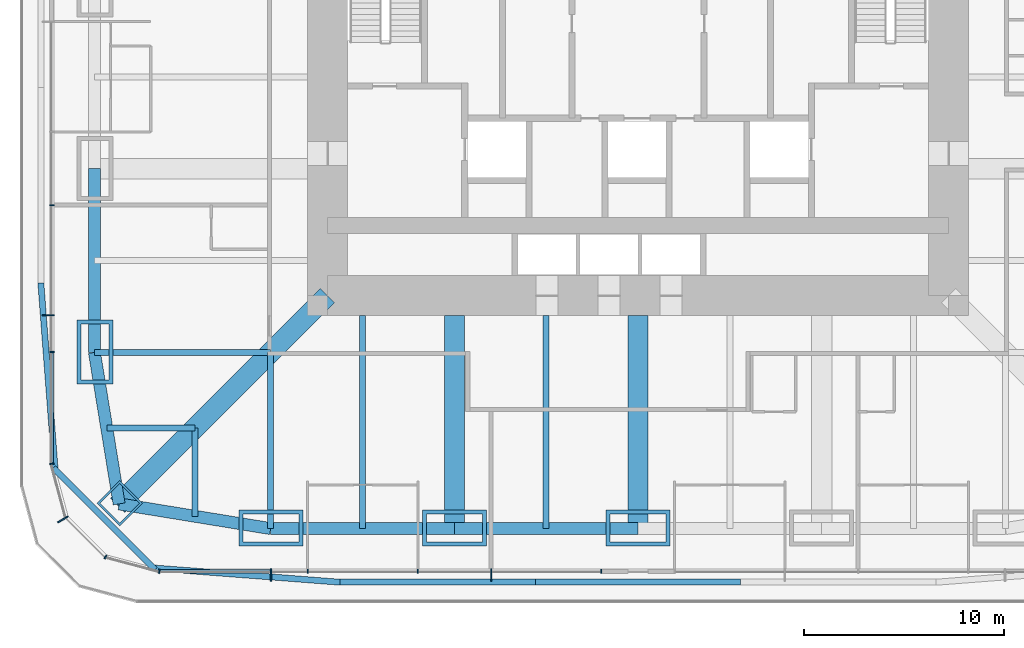
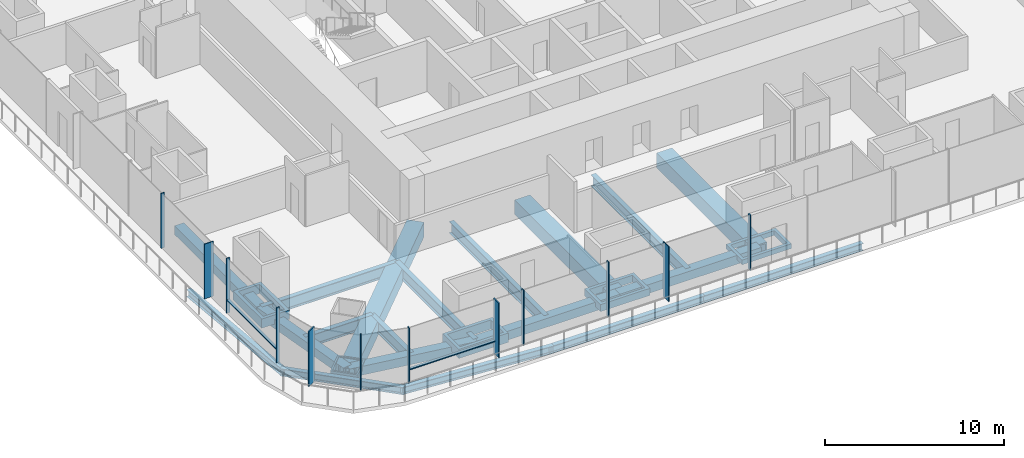
# One storey, part 2 of 16: 27 members, 11 beams, 3 elements without a shape of their own.
"""IFC4 building model written with IfcOpenShell, lengths in metres."""

from ifc_helpers import new_model, si_unit, direction, frame, origin, origin_2d, place, context, subcontext, project, spatial, rectangle, hollow_rectangle, i_section, extrude, material, material_profile, profile_set, type_object, element, aggregate, save


model = new_model("IFC4")

# Units and contexts
model_context = context("Model", 3, precision=1e-05, world=origin(), true_north=direction((0.0, 1.0)))
body_context = subcontext(model_context, "Body", "Model", "MODEL_VIEW")
ifc_project = project(units=[si_unit("LENGTHUNIT", "METRE"), si_unit("AREAUNIT", "SQUARE_METRE"), si_unit("VOLUMEUNIT", "CUBIC_METRE"), si_unit("PLANEANGLEUNIT", "RADIAN"), si_unit("MASSUNIT", "GRAM", prefix="KILO")], contexts=[model_context])

# Site, building, storey
site_placement = place(None, origin())
site = spatial("IfcSite", under=ifc_project, at=site_placement, CompositionType="ELEMENT")
building_placement = place(site_placement, origin())
building = spatial("IfcBuilding", under=site, at=building_placement, Name="Khuree Lantern Residences", CompositionType="ELEMENT")
storey_placement = place(building_placement, frame((0.0, 0.0, 107.25)))
storey = spatial("IfcBuildingStorey", under=building, at=storey_placement, Name="L26", CompositionType="ELEMENT", Elevation=107.25)

# Beams
ifc_material_1 = material(Name="Steel S355", Category="steel")
ifc_material_profile_1 = material_profile(ifc_material_1, i_section(OverallWidth=0.300048828125, OverallDepth=0.7900390625, WebThickness=0.014892578125, FlangeThickness=0.028076171875, FilletRadius=0.030029296875, at=origin_2d()), Name="HE 800 A")
ifc_profile_set_1 = profile_set([ifc_material_profile_1], Name="Steel S355")
beam_type_1 = type_object("IfcBeamType", Name="B-21 SECONDARY BEAM HE 800 A", PredefinedType="BEAM", material=ifc_profile_set_1)
for number, where, z_axis, x_axis, name in (
    (1, (-4.585205078125, -27.1337890625, -0.64501953125), (0.0, 1.0, 0.0), (-1.0, 0.0, 0.0), "Secondary beam S4"),
    (2, (-13.755859375, -27.1337890625, -0.64501953125), (0.0, 1.0, 0.0), (-1.0, 0.0, 0.0), "Secondary beam S5"),
):
    element("IfcBeam", number, at=place(storey_placement, frame(where, z_axis=z_axis, x_axis=x_axis)), inside=storey, type_object=beam_type_1, Name=name, PredefinedType="BEAM", context=body_context, shape_type="SweptSolid", body=[
        extrude(i_section(OverallWidth=0.300048828125, OverallDepth=0.7900390625, WebThickness=0.014892578125, FlangeThickness=0.028076171875, FilletRadius=0.030029296875, at=origin_2d()), origin(), (0.0, 0.0, 1.0), 10.6337890625),
    ])
for number, where, z_axis, x_axis, name in (
    (3, (-22.12109375, -26.517578125, -0.64501953125), (0.0, 1.0, 0.0), (-1.0, 0.0, 0.0), "Secondary beam S6"),
    (4, (-26.517578125, -22.12109375, -0.64501953125), (1.0, 0.0, 0.0), (0.0, 1.0, 0.0), "Secondary beam W1"),
):
    element("IfcBeam", number, at=place(storey_placement, frame(where, z_axis=z_axis, x_axis=x_axis)), inside=storey, type_object=beam_type_1, Name=name, PredefinedType="BEAM", context=body_context, shape_type="SweptSolid", body=[
        extrude(i_section(OverallWidth=0.300048828125, OverallDepth=0.7900390625, WebThickness=0.014892578125, FlangeThickness=0.028076171875, FilletRadius=0.030029296875, at=origin_2d()), origin(), (0.0, 0.0, 1.0), 4.396484375),
    ])

# Members
ifc_material_profile_2 = material_profile(ifc_material_1, hollow_rectangle(XDim=0.60009765625, YDim=0.60009765625, WallThickness=0.050048828125, at=origin_2d()), Name="WELDED BOX 600X600X50")
ifc_profile_set_2 = profile_set([ifc_material_profile_2], Name="Steel S355")
member_type_1 = type_object("IfcMemberType", Name="BT-26 BELT TRUSS CHORD WELDED BOX 600X600X50", PredefinedType="CHORD", material=ifc_profile_set_2)
member_1_placement = place(storey_placement, frame((0.0, -27.1337890625, -0.550048828125), z_axis=(-1.0, 0.0, 0.0), x_axis=(0.0, -1.0, 0.0)))
element("IfcMember", 5, at=member_1_placement, inside=storey, type_object=member_type_1, Name="Belt truss chord S4", PredefinedType="CHORD", context=body_context, shape_type="SweptSolid", body=[
    extrude(hollow_rectangle(XDim=0.60009765625, YDim=0.60009765625, WallThickness=0.050048828125, at=origin_2d()), origin(), (0.0, 0.0, 1.0), 9.17041015625),
])
member_2_placement = place(storey_placement, frame((-9.17041015625, -27.1337890625, -0.550048828125), z_axis=(-1.0, 0.0, 0.0), x_axis=(0.0, -1.0, 0.0)))
element("IfcMember", 6, at=member_2_placement, inside=storey, type_object=member_type_1, Name="Belt truss chord S5", PredefinedType="CHORD", context=body_context, shape_type="SweptSolid", body=[
    extrude(hollow_rectangle(XDim=0.60009765625, YDim=0.60009765625, WallThickness=0.050048828125, at=origin_2d()), origin(), (0.0, 0.0, 1.0), 9.170654296875),
])
for number, where, z_axis, x_axis, name in (
    (7, (-18.341064453125, -27.1337890625, -0.550048828125), (-0.986972570881, 0.160888608448, 0.0), (-0.160888608448, -0.986972570881, 0.0), "Belt truss chord S6"),
    (8, (-25.9013671875, -25.9013671875, -0.550048828125), (-0.160888608448, 0.986972570881, 0.0), (-0.986972570881, -0.160888608448, 0.0), "Belt truss chord W1"),
):
    element("IfcMember", number, at=place(storey_placement, frame(where, z_axis=z_axis, x_axis=x_axis)), inside=storey, type_object=member_type_1, Name=name, PredefinedType="CHORD", context=body_context, shape_type="SweptSolid", body=[
        extrude(hollow_rectangle(XDim=0.60009765625, YDim=0.60009765625, WallThickness=0.050048828125, at=origin_2d()), origin(), (0.0, 0.0, 1.0), 7.66015625),
    ])
member_3_placement = place(storey_placement, frame((-27.1337890625, -18.341064453125, -0.550048828125), z_axis=(0.0, 1.0, 0.0), x_axis=(-1.0, 0.0, 0.0)))
element("IfcMember", 9, at=member_3_placement, inside=storey, type_object=member_type_1, Name="Belt truss chord W2", PredefinedType="CHORD", context=body_context, shape_type="SweptSolid", body=[
    extrude(hollow_rectangle(XDim=0.60009765625, YDim=0.60009765625, WallThickness=0.050048828125, at=origin_2d()), origin(), (0.0, 0.0, 1.0), 9.170654296875),
])

# Curtain wall, member
ifc_material_2 = material(Name="Bronze anodised aluminium", Category="aluminium")
curtain_wall_type_1 = type_object("IfcCurtainWallType", Name="CW-T1 TOWER FACE CURTAIN WALL", PredefinedType="USERDEFINED", material=ifc_material_2)
curtain_wall_1_placement = place(storey_placement, origin())
curtain_wall_1 = element("IfcCurtainWall", 10, at=curtain_wall_1_placement, inside=storey, type_object=curtain_wall_type_1, Name="L26 WEST FACE CURTAIN WALL", ObjectType="Stick-built curtain wall", PredefinedType="USERDEFINED")
ifc_material_profile_3 = material_profile(ifc_material_2, rectangle(XDim=0.06494140625, YDim=0.60009765625, at=origin_2d()), Name="F1 65X600")
ifc_profile_set_3 = profile_set([ifc_material_profile_3], Name="Bronze anodised aluminium")
member_type_2 = type_object("IfcMemberType", Name="F1 BRONZE FIN MULLION TOWER 65X600", PredefinedType="MULLION", material=ifc_profile_set_3)
member_4_placement = place(storey_placement, frame((-29.449951171875, -16.488037109375, 0.0), z_axis=(0.0, 0.0, 1.0), x_axis=(0.0, -1.0, 0.0)))
member_4 = element("IfcMember", 11, at=member_4_placement, type_object=member_type_2, Name="L26 WEST FACE FIN MULLION 41", PredefinedType="MULLION", context=body_context, shape_type="SweptSolid", body=[
    extrude(rectangle(XDim=0.06494140625, YDim=0.60009765625, at=origin_2d()), origin(), (0.0, 0.0, 1.0), 3.75),
])

curtain_wall_type_2 = type_object("IfcCurtainWallType", Name="CW-T2 TOWER CORNER CURTAIN WALL", PredefinedType="USERDEFINED", material=ifc_material_2)
curtain_wall_2_placement = place(storey_placement, origin())
curtain_wall_2 = element("IfcCurtainWall", 12, at=curtain_wall_2_placement, inside=storey, type_object=curtain_wall_type_2, Name="L26 SOUTH-WEST CORNER CURTAIN WALL", ObjectType="Faceted corner curtain wall", PredefinedType="USERDEFINED")
member_5_placement = place(storey_placement, frame((-28.70654296875, -26.675048828125, 0.0), z_axis=(0.0, 0.0, 1.0), x_axis=(0.500000026995, -0.866025388199, 0.0)))
member_5 = element("IfcMember", 13, at=member_5_placement, type_object=member_type_2, Name="L26 SOUTH-WEST CORNER FIN MULLION 44", PredefinedType="MULLION", context=body_context, shape_type="SweptSolid", body=[
    extrude(rectangle(XDim=0.06494140625, YDim=0.60009765625, at=origin_2d()), origin(), (0.0, 0.0, 1.0), 3.75),
])

# Curtain wall, members
curtain_wall_3_placement = place(storey_placement, origin())
curtain_wall_3 = element("IfcCurtainWall", 14, at=curtain_wall_3_placement, inside=storey, type_object=curtain_wall_type_1, Name="L26 SOUTH FACE CURTAIN WALL", ObjectType="Stick-built curtain wall", PredefinedType="USERDEFINED")
member_6_placement = place(storey_placement, frame((-18.320068359375, -29.449951171875, 0.0), z_axis=(0.0, 0.0, 1.0), x_axis=(1.0, 0.0, 0.0)))
member_6 = element("IfcMember", 15, at=member_6_placement, type_object=member_type_2, Name="L26 SOUTH FACE FIN MULLION 47", PredefinedType="MULLION", context=body_context, shape_type="SweptSolid", body=[
    extrude(rectangle(XDim=0.06494140625, YDim=0.60009765625, at=origin_2d()), origin(), (0.0, 0.0, 1.0), 3.75),
])
member_7_placement = place(storey_placement, frame((-7.327880859375, -29.449951171875, 0.0), z_axis=(0.0, 0.0, 1.0), x_axis=(1.0, 0.0, 0.0)))
member_7 = element("IfcMember", 16, at=member_7_placement, type_object=member_type_2, Name="L26 SOUTH FACE FIN MULLION 50", PredefinedType="MULLION", context=body_context, shape_type="SweptSolid", body=[
    extrude(rectangle(XDim=0.06494140625, YDim=0.60009765625, at=origin_2d()), origin(), (0.0, 0.0, 1.0), 3.75),
])

# Beams
ifc_material_profile_4 = material_profile(ifc_material_1, i_section(OverallWidth=0.300048828125, OverallDepth=0.800048828125, WebThickness=0.017578125, FlangeThickness=0.032958984375, FilletRadius=0.030029296875, at=origin_2d()), Name="HE 800 B")
ifc_profile_set_4 = profile_set([ifc_material_profile_4], Name="Steel S355")
beam_type_2 = type_object("IfcBeamType", Name="G-21 GIRDER HE 800 B", PredefinedType="BEAM", material=ifc_profile_set_4)
for number, where, z_axis, x_axis, name in (
    (17, (-18.342041015625, -27.135498046875, -0.64990234375), (0.0, 1.0, 0.0), (-1.0, 0.0, 0.0), "Girder S5"),
    (18, (-27.135498046875, -18.342041015625, -0.64990234375), (1.0, 0.0, 0.0), (0.0, 1.0, 0.0), "Girder W1"),
):
    element("IfcBeam", number, at=place(storey_placement, frame(where, z_axis=z_axis, x_axis=x_axis)), inside=storey, type_object=beam_type_2, Name=name, PredefinedType="BEAM", context=body_context, shape_type="SweptSolid", body=[
        extrude(i_section(OverallWidth=0.300048828125, OverallDepth=0.800048828125, WebThickness=0.017578125, FlangeThickness=0.032958984375, FilletRadius=0.030029296875, at=origin_2d()), origin(), (0.0, 0.0, 1.0), 8.79345703125),
    ])

# Member
ifc_material_profile_5 = material_profile(ifc_material_2, rectangle(XDim=0.06494140625, YDim=0.219970703125, at=origin_2d()), Name="M1 65X220")
ifc_profile_set_5 = profile_set([ifc_material_profile_5], Name="Bronze anodised aluminium")
member_type_3 = type_object("IfcMemberType", Name="M1 BRONZE MULLION TOWER 65X220", PredefinedType="MULLION", material=ifc_profile_set_5)
member_8_placement = place(storey_placement, frame((-29.260009765625, -10.991943359375, 0.0), z_axis=(0.0, 0.0, 1.0), x_axis=(0.0, -1.0, 0.0)))
member_8 = element("IfcMember", 19, at=member_8_placement, type_object=member_type_3, Name="L26 WEST FACE MULLION 40", PredefinedType="MULLION", context=body_context, shape_type="SweptSolid", body=[
    extrude(rectangle(XDim=0.06494140625, YDim=0.219970703125, at=origin_2d()), origin(), (0.0, 0.0, 1.0), 3.75),
])

member_9_placement = place(storey_placement, frame((-29.260009765625, -18.320068359375, 0.0), z_axis=(0.0, 0.0, 1.0), x_axis=(0.0, -1.0, 0.0)))
member_9 = element("IfcMember", 20, at=member_9_placement, type_object=member_type_3, Name="L26 WEST FACE MULLION 42", PredefinedType="MULLION", context=body_context, shape_type="SweptSolid", body=[
    extrude(rectangle(XDim=0.06494140625, YDim=0.219970703125, at=origin_2d()), origin(), (0.0, 0.0, 1.0), 3.75),
])

member_10_placement = place(storey_placement, frame((-29.26171875, -23.89501953125, 0.0), z_axis=(0.0, 0.0, 1.0), x_axis=(0.130526223125, -0.991444857305, 0.0)))
member_10 = element("IfcMember", 21, at=member_10_placement, type_object=member_type_3, Name="L26 SOUTH-WEST CORNER MULLION 43", PredefinedType="MULLION", context=body_context, shape_type="SweptSolid", body=[
    extrude(rectangle(XDim=0.06494140625, YDim=0.219970703125, at=origin_2d()), origin(), (0.0, 0.0, 1.0), 3.75),
])

member_11_placement = place(storey_placement, frame((-26.580078125, -28.5419921875, 0.0), z_axis=(0.0, 0.0, 1.0), x_axis=(0.866025388199, -0.500000026995, 0.0)))
member_11 = element("IfcMember", 22, at=member_11_placement, type_object=member_type_3, Name="L26 SOUTH-WEST CORNER MULLION 45", PredefinedType="MULLION", context=body_context, shape_type="SweptSolid", body=[
    extrude(rectangle(XDim=0.06494140625, YDim=0.219970703125, at=origin_2d()), origin(), (0.0, 0.0, 1.0), 3.75),
])

aggregate(curtain_wall_2, [member_10, member_5, member_11])

member_12_placement = place(storey_placement, frame((-23.89501953125, -29.26171875, 0.0), z_axis=(0.0, 0.0, 1.0), x_axis=(0.991444857305, -0.130526223125, 0.0)))
member_12 = element("IfcMember", 23, at=member_12_placement, type_object=member_type_3, Name="L26 SOUTH FACE MULLION 46", PredefinedType="MULLION", context=body_context, shape_type="SweptSolid", body=[
    extrude(rectangle(XDim=0.06494140625, YDim=0.219970703125, at=origin_2d()), origin(), (0.0, 0.0, 1.0), 3.75),
])

member_13_placement = place(storey_placement, frame((-16.488037109375, -29.260009765625, 0.0), z_axis=(0.0, 0.0, 1.0), x_axis=(1.0, 0.0, 0.0)))
member_13 = element("IfcMember", 24, at=member_13_placement, type_object=member_type_3, Name="L26 SOUTH FACE MULLION 48", PredefinedType="MULLION", context=body_context, shape_type="SweptSolid", body=[
    extrude(rectangle(XDim=0.06494140625, YDim=0.219970703125, at=origin_2d()), origin(), (0.0, 0.0, 1.0), 3.75),
])

member_14_placement = place(storey_placement, frame((-10.991943359375, -29.260009765625, 0.0), z_axis=(0.0, 0.0, 1.0), x_axis=(1.0, 0.0, 0.0)))
member_14 = element("IfcMember", 25, at=member_14_placement, type_object=member_type_3, Name="L26 SOUTH FACE MULLION 49", PredefinedType="MULLION", context=body_context, shape_type="SweptSolid", body=[
    extrude(rectangle(XDim=0.06494140625, YDim=0.219970703125, at=origin_2d()), origin(), (0.0, 0.0, 1.0), 3.75),
])

member_15_placement = place(storey_placement, frame((-1.83203125, -29.260009765625, 0.0), z_axis=(0.0, 0.0, 1.0), x_axis=(1.0, 0.0, 0.0)))
member_15 = element("IfcMember", 26, at=member_15_placement, type_object=member_type_3, Name="L26 SOUTH FACE MULLION 51", PredefinedType="MULLION", context=body_context, shape_type="SweptSolid", body=[
    extrude(rectangle(XDim=0.06494140625, YDim=0.219970703125, at=origin_2d()), origin(), (0.0, 0.0, 1.0), 3.75),
])

# Members
ifc_material_3 = material(Name="Steel S355 CFT welded box", Category="steel")
ifc_material_profile_6 = material_profile(ifc_material_3, hollow_rectangle(XDim=3.199951171875, YDim=1.800048828125, WallThickness=0.199951171875, at=origin_2d()), Name="WELDED BOX 3200X1800X200")
ifc_profile_set_6 = profile_set([ifc_material_profile_6], Name="Steel S355 CFT welded box")
member_type_4 = type_object("IfcMemberType", Name="MN MEGA COLUMN NODE WELDED BOX 3200X1800X200", PredefinedType="MEMBER", material=ifc_profile_set_6)
member_16_placement = place(storey_placement, frame((0.0, -27.10009765625, -0.550048828125), z_axis=(0.0, 0.0, 1.0), x_axis=(1.0, 0.0, 0.0)))
element("IfcMember", 27, at=member_16_placement, inside=storey, type_object=member_type_4, Name="Mega column node S3", PredefinedType="MEMBER", context=body_context, shape_type="SweptSolid", body=[
    extrude(hollow_rectangle(XDim=3.199951171875, YDim=1.800048828125, WallThickness=0.199951171875, at=origin_2d()), origin(), (0.0, 0.0, 1.0), 0.320068359375),
])
member_17_placement = place(storey_placement, frame((-9.159912109375, -27.10009765625, -0.550048828125), z_axis=(0.0, 0.0, 1.0), x_axis=(1.0, 0.0, 0.0)))
element("IfcMember", 28, at=member_17_placement, inside=storey, type_object=member_type_4, Name="Mega column node S4", PredefinedType="MEMBER", context=body_context, shape_type="SweptSolid", body=[
    extrude(hollow_rectangle(XDim=3.199951171875, YDim=1.800048828125, WallThickness=0.199951171875, at=origin_2d()), origin(), (0.0, 0.0, 1.0), 0.47998046875),
])
for number, where, z_axis, x_axis, name in (
    (29, (-18.320068359375, -27.10009765625, -0.550048828125), (0.0, 0.0, 1.0), (1.0, 0.0, 0.0), "Mega column node S5"),
    (30, (-27.10009765625, -18.320068359375, -0.550048828125), (0.0, 0.0, 1.0), (0.0, 1.0, 0.0), "Mega column node W1"),
):
    element("IfcMember", number, at=place(storey_placement, frame(where, z_axis=z_axis, x_axis=x_axis)), inside=storey, type_object=member_type_4, Name=name, PredefinedType="MEMBER", context=body_context, shape_type="SweptSolid", body=[
        extrude(hollow_rectangle(XDim=3.199951171875, YDim=1.800048828125, WallThickness=0.199951171875, at=origin_2d()), origin(), (0.0, 0.0, 1.0), 0.630126953125),
    ])
ifc_material_profile_7 = material_profile(ifc_material_3, hollow_rectangle(XDim=1.60009765625, YDim=1.60009765625, WallThickness=0.10009765625, at=origin_2d()), Name="WELDED BOX 1600X1600X100")
ifc_profile_set_7 = profile_set([ifc_material_profile_7], Name="Steel S355 CFT welded box")
member_type_5 = type_object("IfcMemberType", Name="MNA MEGA COLUMN NODE WELDED BOX 1600X1600X100", PredefinedType="MEMBER", material=ifc_profile_set_7)
member_18_placement = place(storey_placement, frame((-25.869873046875, -25.869873046875, -0.550048828125), z_axis=(0.0, 0.0, 1.0), x_axis=(0.707106781187, -0.707106781187, 0.0)))
element("IfcMember", 31, at=member_18_placement, inside=storey, type_object=member_type_5, Name="Mega column node SW", PredefinedType="MEMBER", context=body_context, shape_type="SweptSolid", body=[
    extrude(hollow_rectangle(XDim=1.60009765625, YDim=1.60009765625, WallThickness=0.10009765625, at=origin_2d()), origin(), (0.0, 0.0, 1.0), 0.360107421875),
])
ifc_material_profile_8 = material_profile(ifc_material_1, hollow_rectangle(XDim=1.0, YDim=1.0, WallThickness=0.080078125, at=origin_2d()), Name="WELDED BOX 1000X1000X80")
ifc_profile_set_8 = profile_set([ifc_material_profile_8], Name="Steel S355")
member_type_6 = type_object("IfcMemberType", Name="OT-26 OUTRIGGER TRUSS CHORD WELDED BOX 1000X1000X80", PredefinedType="CHORD", material=ifc_profile_set_8)
for number, where, z_axis, x_axis, name in (
    (32, (0.0, -27.135498046875, -0.75), (0.0, 1.0, 0.0), (-1.0, 0.0, 0.0), "Outrigger chord S3"),
    (33, (-9.171142578125, -27.135498046875, -0.75), (0.0, 1.0, 0.0), (-1.0, 0.0, 0.0), "Outrigger chord S4"),
):
    element("IfcMember", number, at=place(storey_placement, frame(where, z_axis=z_axis, x_axis=x_axis)), inside=storey, type_object=member_type_6, Name=name, PredefinedType="CHORD", context=body_context, shape_type="SweptSolid", body=[
        extrude(hollow_rectangle(XDim=1.0, YDim=1.0, WallThickness=0.080078125, at=origin_2d()), origin(), (0.0, 0.0, 1.0), 10.635498046875),
    ])
member_19_placement = place(storey_placement, frame((-25.969482421875, -25.969482421875, -0.75), z_axis=(0.707106781187, 0.707106781187, 0.0), x_axis=(-0.707106781187, 0.707106781187, 0.0)))
element("IfcMember", 34, at=member_19_placement, inside=storey, type_object=member_type_6, Name="Outrigger chord SW", PredefinedType="CHORD", context=body_context, shape_type="SweptSolid", body=[
    extrude(hollow_rectangle(XDim=1.0, YDim=1.0, WallThickness=0.080078125, at=origin_2d()), origin(), (0.0, 0.0, 1.0), 14.80615234375),
])

# Beams
ifc_material_profile_9 = material_profile(ifc_material_1, i_section(OverallWidth=0.300048828125, OverallDepth=0.5, WebThickness=0.014404296875, FlangeThickness=0.028076171875, FilletRadius=0.027099609375, at=origin_2d()), Name="HE 500 B")
ifc_profile_set_9 = profile_set([ifc_material_profile_9], Name="Steel S355")
beam_type_3 = type_object("IfcBeamType", Name="TB1 TERRACE EDGE BEAM HE 500 B", PredefinedType="BEAM", material=ifc_profile_set_9)
for number, where, z_axis, x_axis, name in (
    (35, (5.125, -29.800048828125, -0.5), (-1.0, 0.0, 0.0), (0.0, -1.0, 0.0), "Terrace edge beam S3"),
    (36, (-4.875, -29.800048828125, -0.5), (-1.0, 0.0, 0.0), (0.0, -1.0, 0.0), "Terrace edge beam S4"),
):
    element("IfcBeam", number, at=place(storey_placement, frame(where, z_axis=z_axis, x_axis=x_axis)), inside=storey, type_object=beam_type_3, Name=name, PredefinedType="BEAM", context=body_context, shape_type="SweptSolid", body=[
        extrude(i_section(OverallWidth=0.300048828125, OverallDepth=0.5, WebThickness=0.014404296875, FlangeThickness=0.028076171875, FilletRadius=0.027099609375, at=origin_2d()), origin(), (0.0, 0.0, 1.0), 10.25),
    ])
beam_1_placement = place(storey_placement, frame((-14.875244140625, -29.8095703125, -0.5), z_axis=(-0.997090602838, 0.07622551891, 0.0), x_axis=(-0.07622551891, -0.997090602838, 0.0)))
element("IfcBeam", 37, at=beam_1_placement, inside=storey, type_object=beam_type_3, Name="Terrace edge beam S5", PredefinedType="BEAM", context=body_context, shape_type="SweptSolid", body=[
    extrude(i_section(OverallWidth=0.300048828125, OverallDepth=0.5, WebThickness=0.014404296875, FlangeThickness=0.028076171875, FilletRadius=0.027099609375, at=origin_2d()), origin(), (0.0, 0.0, 1.0), 9.47412109375),
])
beam_2_placement = place(storey_placement, frame((-24.108642578125, -29.185546875, -0.5), z_axis=(-0.707106781187, 0.707106781187, 0.0), x_axis=(-0.707106781187, -0.707106781187, 0.0)))
element("IfcBeam", 38, at=beam_2_placement, inside=storey, type_object=beam_type_3, Name="Terrace edge beam S6", PredefinedType="BEAM", context=body_context, shape_type="SweptSolid", body=[
    extrude(i_section(OverallWidth=0.300048828125, OverallDepth=0.5, WebThickness=0.014404296875, FlangeThickness=0.028076171875, FilletRadius=0.027099609375, at=origin_2d()), origin(), (0.0, 0.0, 1.0), 7.179931640625),
])
beam_3_placement = place(storey_placement, frame((-29.08740234375, -24.32177734375, -0.5), z_axis=(-0.07622551891, 0.997090602838, 0.0), x_axis=(-0.997090602838, -0.07622551891, 0.0)))
element("IfcBeam", 39, at=beam_3_placement, inside=storey, type_object=beam_type_3, Name="Terrace edge beam W1", PredefinedType="BEAM", context=body_context, shape_type="SweptSolid", body=[
    extrude(i_section(OverallWidth=0.300048828125, OverallDepth=0.5, WebThickness=0.014404296875, FlangeThickness=0.028076171875, FilletRadius=0.027099609375, at=origin_2d()), origin(), (0.0, 0.0, 1.0), 9.47412109375),
])

# Member
ifc_material_profile_10 = material_profile(ifc_material_2, rectangle(XDim=0.179931640625, YDim=0.06494140625, at=origin_2d()), Name="T1 180X65")
ifc_profile_set_10 = profile_set([ifc_material_profile_10], Name="Bronze anodised aluminium")
member_type_7 = type_object("IfcMemberType", Name="TRANSOM T1 TOWER 180X65", PredefinedType="USERDEFINED", material=ifc_profile_set_10)
member_20_placement = place(storey_placement, frame((-29.27001953125, -18.3525390625, 0.89990234375), z_axis=(0.0, -1.0, 0.0), x_axis=(1.0, 0.0, 0.0)))
member_20 = element("IfcMember", 40, at=member_20_placement, type_object=member_type_7, Name="L26 WEST FACE TRANSOM 42.1", ObjectType="Transom", PredefinedType="USERDEFINED", context=body_context, shape_type="SweptSolid", body=[
    extrude(rectangle(XDim=0.179931640625, YDim=0.06494140625, at=origin_2d()), origin(), (0.0, 0.0, 1.0), 5.498779296875),
])

aggregate(curtain_wall_1, [member_8, member_4, member_9, member_20])

member_21_placement = place(storey_placement, frame((-23.851318359375, -29.27001953125, 0.89990234375), z_axis=(1.0, 0.0, 0.0), x_axis=(0.0, 1.0, 0.0)))
member_21 = element("IfcMember", 41, at=member_21_placement, type_object=member_type_7, Name="L26 SOUTH FACE TRANSOM 46.1", ObjectType="Transom", PredefinedType="USERDEFINED", context=body_context, shape_type="SweptSolid", body=[
    extrude(rectangle(XDim=0.179931640625, YDim=0.06494140625, at=origin_2d()), origin(), (0.0, 0.0, 1.0), 5.498779296875),
])

aggregate(curtain_wall_3, [member_12, member_6, member_13, member_14, member_7, member_15, member_21])

save(model, "model.ifc")
